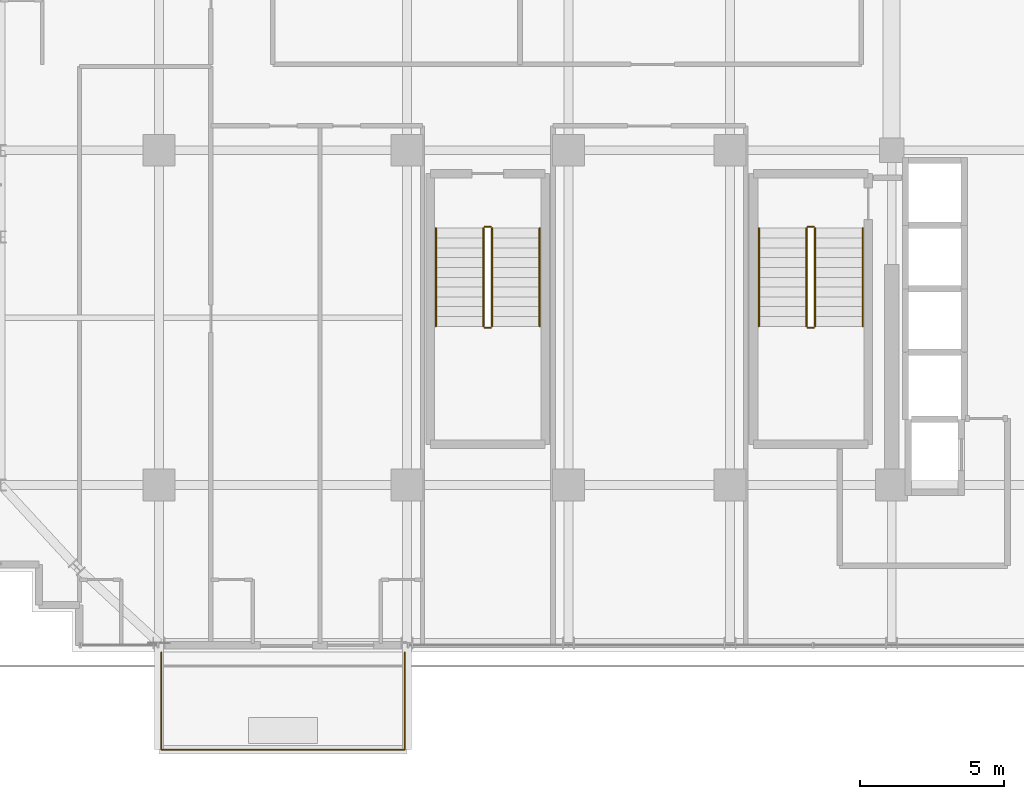
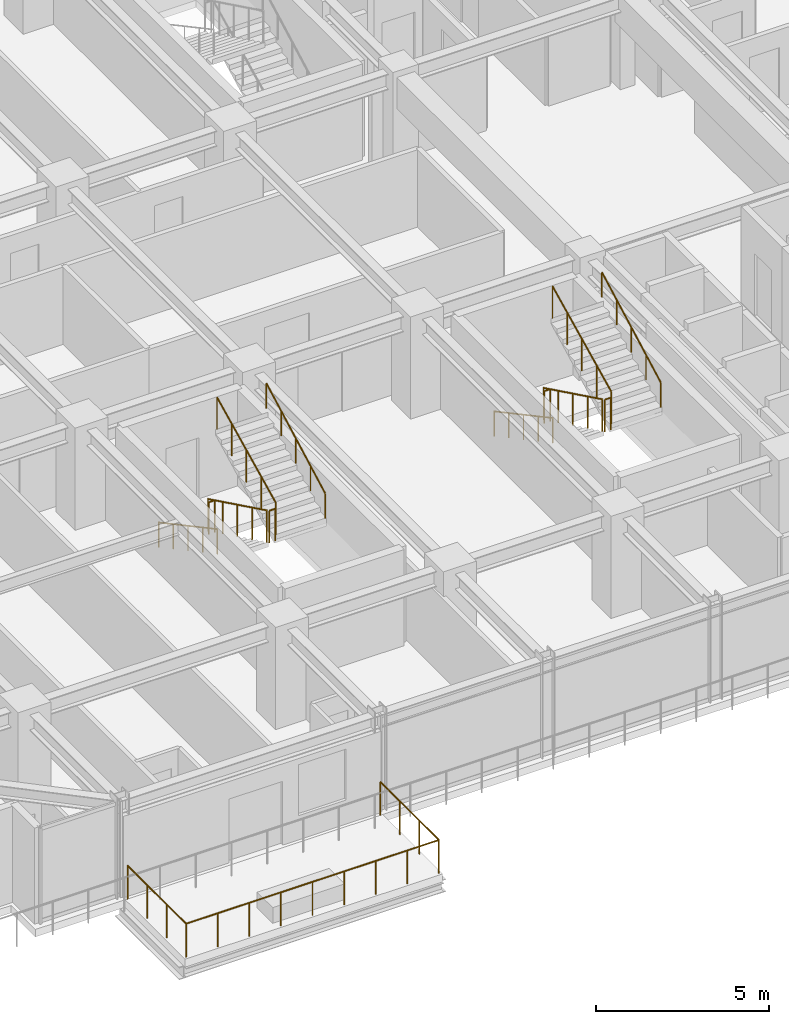
# One storey, part 30 of 33: 13 railings.
"""IFC4 building model written with IfcOpenShell, lengths in metres."""

from ifc_helpers import new_model, si_unit, direction, frame, origin, origin_2d, place, context, subcontext, project, spatial, circle, extrude, material, type_object, element, save


model = new_model("IFC4")

# Units and contexts
model_context = context("Model", 3, precision=1e-05, world=origin(), true_north=direction((0.0, 1.0)))
body_context = subcontext(model_context, "Body", "Model", "MODEL_VIEW")
ifc_project = project(units=[si_unit("LENGTHUNIT", "METRE"), si_unit("AREAUNIT", "SQUARE_METRE"), si_unit("VOLUMEUNIT", "CUBIC_METRE"), si_unit("PLANEANGLEUNIT", "RADIAN"), si_unit("MASSUNIT", "GRAM", prefix="KILO")], contexts=[model_context])

# Site, building, storey
site_placement = place(None, origin())
site = spatial("IfcSite", under=ifc_project, at=site_placement, CompositionType="ELEMENT")
building_placement = place(site_placement, origin())
building = spatial("IfcBuilding", under=site, at=building_placement, Name="Nahalor Promenade Grand Hotel", CompositionType="ELEMENT")
storey_placement = place(building_placement, frame((0.0, 0.0, 149.0)))
storey = spatial("IfcBuildingStorey", under=building, at=storey_placement, Name="L37", CompositionType="ELEMENT", Elevation=149.0)

# Railings
ifc_material_1 = material(Name="Anodised Bronze Aluminium EN AW-6063 T6", Category="aluminium")
railing_type_1 = type_object("IfcRailingType", Name="Bronze Balcony Guardrail 1200 mm", PredefinedType="GUARDRAIL", material=ifc_material_1)
railing_1_placement = place(storey_placement, frame((-16.919921875, -22.800048828125, 0.0)))
element("IfcRailing", 1, at=railing_1_placement, inside=storey, type_object=railing_type_1, Name="L37 Balcony Guardrail 1", PredefinedType="GUARDRAIL", context=body_context, shape_type="SweptSolid", body=[
    extrude(circle(Radius=0.024048, at=origin_2d()), frame((0.0, 0.0, 1.17578125), z_axis=(0.0, -1.0, 0.0), x_axis=(1.0, 0.0, 0.0)), (0.0, 0.0, 1.0), 3.3779296875),
    extrude(circle(Radius=0.024048, at=origin_2d()), frame((0.001953125, -3.3798828125, 1.17578125), z_axis=(1.0, 0.0, 0.0), x_axis=(0.0, 1.0, 0.0)), (0.0, 0.0, 1.0), 8.43603515625),
    extrude(circle(Radius=0.024048, at=origin_2d()), frame((8.43994140625, -3.3779296875, 1.17578125), z_axis=(0.0, 1.0, 0.0), x_axis=(-1.0, 0.0, 0.0)), (0.0, 0.0, 1.0), 3.3779296875),
    extrude(circle(Radius=0.020996, at=origin_2d()), origin(), (0.0, 0.0, 1.0), 1.14990234375),
    extrude(circle(Radius=0.020996, at=origin_2d()), frame((0.0, -1.126708984375, 0.0)), (0.0, 0.0, 1.0), 1.14990234375),
    extrude(circle(Radius=0.020996, at=origin_2d()), frame((0.0, -2.253173828125, 0.0)), (0.0, 0.0, 1.0), 1.14990234375),
    extrude(circle(Radius=0.020996, at=origin_2d()), frame((0.0, -3.3798828125, 0.0)), (0.0, 0.0, 1.0), 1.14990234375),
    extrude(circle(Radius=0.020996, at=origin_2d()), frame((1.054931640625, -3.3798828125, 0.0)), (0.0, 0.0, 1.0), 1.14990234375),
    extrude(circle(Radius=0.020996, at=origin_2d()), frame((2.10986328125, -3.3798828125, 0.0)), (0.0, 0.0, 1.0), 1.14990234375),
    extrude(circle(Radius=0.020996, at=origin_2d()), frame((3.1650390625, -3.3798828125, 0.0)), (0.0, 0.0, 1.0), 1.14990234375),
    extrude(circle(Radius=0.020996, at=origin_2d()), frame((4.219970703125, -3.3798828125, 0.0)), (0.0, 0.0, 1.0), 1.14990234375),
    extrude(circle(Radius=0.020996, at=origin_2d()), frame((5.27490234375, -3.3798828125, 0.0)), (0.0, 0.0, 1.0), 1.14990234375),
    extrude(circle(Radius=0.020996, at=origin_2d()), frame((6.330078125, -3.3798828125, 0.0)), (0.0, 0.0, 1.0), 1.14990234375),
    extrude(circle(Radius=0.020996, at=origin_2d()), frame((7.385009765625, -3.3798828125, 0.0)), (0.0, 0.0, 1.0), 1.14990234375),
    extrude(circle(Radius=0.020996, at=origin_2d()), frame((8.43994140625, -3.3798828125, 0.0)), (0.0, 0.0, 1.0), 1.14990234375),
    extrude(circle(Radius=0.020996, at=origin_2d()), frame((8.43994140625, -2.253173828125, 0.0)), (0.0, 0.0, 1.0), 1.14990234375),
    extrude(circle(Radius=0.020996, at=origin_2d()), frame((8.43994140625, -1.126708984375, 0.0)), (0.0, 0.0, 1.0), 1.14990234375),
    extrude(circle(Radius=0.020996, at=origin_2d()), frame((8.43994140625, 0.0, 0.0)), (0.0, 0.0, 1.0), 1.14990234375),
])
ifc_material_2 = material(Name="Steel S355JR", Category="steel")
railing_type_2 = type_object("IfcRailingType", Name="Steel Stair Guardrail 1150 mm", PredefinedType="GUARDRAIL", material=ifc_material_2)
railing_2_placement = place(storey_placement, frame((5.449951171875, -8.10009765625, 0.166015625)))
element("IfcRailing", 2, at=railing_2_placement, inside=storey, type_object=railing_type_2, Name="L37 ST2 stair guard 1", PredefinedType="GUARDRAIL", context=body_context, shape_type="SweptSolid", body=[
    extrude(circle(Radius=0.024048, at=origin_2d()), frame((0.0, 0.0, 1.1259765625), z_axis=(0.0, -0.898721922897, 0.438518990814), x_axis=(1.0, 0.0, 0.0)), (0.0, 0.0, 1.0), 3.782958984375),
    extrude(circle(Radius=0.020996, at=origin_2d()), origin(), (0.0, 0.0, 1.0), 1.099853515625),
    extrude(circle(Radius=0.020996, at=origin_2d()), frame((0.0, -0.85009765625, 0.414794921875)), (0.0, 0.0, 1.0), 1.099853515625),
    extrude(circle(Radius=0.020996, at=origin_2d()), frame((0.0, -1.699951171875, 0.82958984375)), (0.0, 0.0, 1.0), 1.099853515625),
    extrude(circle(Radius=0.020996, at=origin_2d()), frame((0.0, -2.5498046875, 1.244140625)), (0.0, 0.0, 1.0), 1.099853515625),
    extrude(circle(Radius=0.020996, at=origin_2d()), frame((0.0, -3.39990234375, 1.658935546875)), (0.0, 0.0, 1.0), 1.099853515625),
])
railing_3_placement = place(storey_placement, frame((5.5, -11.550048828125, 1.824951171875)))
element("IfcRailing", 3, at=railing_3_placement, inside=storey, type_object=railing_type_2, Name="L37 ST2 stair guard 2", PredefinedType="GUARDRAIL", context=body_context, shape_type="SweptSolid", body=[
    extrude(circle(Radius=0.024048, at=origin_2d()), frame((0.0, 0.0, 1.1259765625), z_axis=(1.0, 0.0, 0.0), x_axis=(0.0, 1.0, 0.0)), (0.0, 0.0, 1.0), 0.199951171875),
    extrude(circle(Radius=0.020996, at=origin_2d()), origin(), (0.0, 0.0, 1.0), 1.099853515625),
    extrude(circle(Radius=0.020996, at=origin_2d()), frame((0.199951171875, 0.0, 0.0)), (0.0, 0.0, 1.0), 1.099853515625),
])
railing_4_placement = place(storey_placement, frame((5.75, -11.5, 1.990966796875)))
element("IfcRailing", 4, at=railing_4_placement, inside=storey, type_object=railing_type_2, Name="L37 ST2 stair guard 3", PredefinedType="GUARDRAIL", context=body_context, shape_type="SweptSolid", body=[
    extrude(circle(Radius=0.024048, at=origin_2d()), frame((0.0, 0.0, 1.1259765625), z_axis=(0.0, 0.898721922897, 0.438518990814), x_axis=(-1.0, 0.0, 0.0)), (0.0, 0.0, 1.0), 3.782958984375),
    extrude(circle(Radius=0.020996, at=origin_2d()), origin(), (0.0, 0.0, 1.0), 1.099853515625),
    extrude(circle(Radius=0.020996, at=origin_2d()), frame((0.0, 0.85009765625, 0.414794921875)), (0.0, 0.0, 1.0), 1.099853515625),
    extrude(circle(Radius=0.020996, at=origin_2d()), frame((0.0, 1.699951171875, 0.82958984375)), (0.0, 0.0, 1.0), 1.099853515625),
    extrude(circle(Radius=0.020996, at=origin_2d()), frame((0.0, 2.5498046875, 1.244140625)), (0.0, 0.0, 1.0), 1.099853515625),
    extrude(circle(Radius=0.020996, at=origin_2d()), frame((0.0, 3.39990234375, 1.658935546875)), (0.0, 0.0, 1.0), 1.099853515625),
])
railing_5_placement = place(storey_placement, frame((5.5, -8.050048828125, 0.0)))
element("IfcRailing", 5, at=railing_5_placement, inside=storey, type_object=railing_type_2, Name="L37 ST2 stair guard 4", PredefinedType="GUARDRAIL", context=body_context, shape_type="SweptSolid", body=[
    extrude(circle(Radius=0.024048, at=origin_2d()), frame((0.0, 0.0, 1.1259765625), z_axis=(1.0, 0.0, 0.0), x_axis=(0.0, 1.0, 0.0)), (0.0, 0.0, 1.0), 0.199951171875),
    extrude(circle(Radius=0.020996, at=origin_2d()), origin(), (0.0, 0.0, 1.0), 1.099853515625),
    extrude(circle(Radius=0.020996, at=origin_2d()), frame((0.199951171875, 0.0, 0.0)), (0.0, 0.0, 1.0), 1.099853515625),
])
railing_6_placement = place(storey_placement, frame((-5.75, -8.10009765625, 0.166015625)))
element("IfcRailing", 6, at=railing_6_placement, inside=storey, type_object=railing_type_2, Name="L37 ST3 stair guard 1", PredefinedType="GUARDRAIL", context=body_context, shape_type="SweptSolid", body=[
    extrude(circle(Radius=0.024048, at=origin_2d()), frame((0.0, 0.0, 1.1259765625), z_axis=(0.0, -0.898721922897, 0.438518990814), x_axis=(1.0, 0.0, 0.0)), (0.0, 0.0, 1.0), 3.782958984375),
    extrude(circle(Radius=0.020996, at=origin_2d()), origin(), (0.0, 0.0, 1.0), 1.099853515625),
    extrude(circle(Radius=0.020996, at=origin_2d()), frame((0.0, -0.85009765625, 0.414794921875)), (0.0, 0.0, 1.0), 1.099853515625),
    extrude(circle(Radius=0.020996, at=origin_2d()), frame((0.0, -1.699951171875, 0.82958984375)), (0.0, 0.0, 1.0), 1.099853515625),
    extrude(circle(Radius=0.020996, at=origin_2d()), frame((0.0, -2.5498046875, 1.244140625)), (0.0, 0.0, 1.0), 1.099853515625),
    extrude(circle(Radius=0.020996, at=origin_2d()), frame((0.0, -3.39990234375, 1.658935546875)), (0.0, 0.0, 1.0), 1.099853515625),
])
railing_7_placement = place(storey_placement, frame((-5.699951171875, -11.550048828125, 1.824951171875)))
element("IfcRailing", 7, at=railing_7_placement, inside=storey, type_object=railing_type_2, Name="L37 ST3 stair guard 2", PredefinedType="GUARDRAIL", context=body_context, shape_type="SweptSolid", body=[
    extrude(circle(Radius=0.024048, at=origin_2d()), frame((0.0, 0.0, 1.1259765625), z_axis=(1.0, 0.0, 0.0), x_axis=(0.0, 1.0, 0.0)), (0.0, 0.0, 1.0), 0.199951171875),
    extrude(circle(Radius=0.020996, at=origin_2d()), origin(), (0.0, 0.0, 1.0), 1.099853515625),
    extrude(circle(Radius=0.020996, at=origin_2d()), frame((0.199951171875, 0.0, 0.0)), (0.0, 0.0, 1.0), 1.099853515625),
])
railing_8_placement = place(storey_placement, frame((-5.449951171875, -11.5, 1.990966796875)))
element("IfcRailing", 8, at=railing_8_placement, inside=storey, type_object=railing_type_2, Name="L37 ST3 stair guard 3", PredefinedType="GUARDRAIL", context=body_context, shape_type="SweptSolid", body=[
    extrude(circle(Radius=0.024048, at=origin_2d()), frame((0.0, 0.0, 1.1259765625), z_axis=(0.0, 0.898721922897, 0.438518990814), x_axis=(-1.0, 0.0, 0.0)), (0.0, 0.0, 1.0), 3.782958984375),
    extrude(circle(Radius=0.020996, at=origin_2d()), origin(), (0.0, 0.0, 1.0), 1.099853515625),
    extrude(circle(Radius=0.020996, at=origin_2d()), frame((0.0, 0.85009765625, 0.414794921875)), (0.0, 0.0, 1.0), 1.099853515625),
    extrude(circle(Radius=0.020996, at=origin_2d()), frame((0.0, 1.699951171875, 0.82958984375)), (0.0, 0.0, 1.0), 1.099853515625),
    extrude(circle(Radius=0.020996, at=origin_2d()), frame((0.0, 2.5498046875, 1.244140625)), (0.0, 0.0, 1.0), 1.099853515625),
    extrude(circle(Radius=0.020996, at=origin_2d()), frame((0.0, 3.39990234375, 1.658935546875)), (0.0, 0.0, 1.0), 1.099853515625),
])
railing_9_placement = place(storey_placement, frame((-5.699951171875, -8.050048828125, 0.0)))
element("IfcRailing", 9, at=railing_9_placement, inside=storey, type_object=railing_type_2, Name="L37 ST3 stair guard 4", PredefinedType="GUARDRAIL", context=body_context, shape_type="SweptSolid", body=[
    extrude(circle(Radius=0.024048, at=origin_2d()), frame((0.0, 0.0, 1.1259765625), z_axis=(1.0, 0.0, 0.0), x_axis=(0.0, 1.0, 0.0)), (0.0, 0.0, 1.0), 0.199951171875),
    extrude(circle(Radius=0.020996, at=origin_2d()), origin(), (0.0, 0.0, 1.0), 1.099853515625),
    extrude(circle(Radius=0.020996, at=origin_2d()), frame((0.199951171875, 0.0, 0.0)), (0.0, 0.0, 1.0), 1.099853515625),
])
railing_type_3 = type_object("IfcRailingType", Name="Steel Stair Handrail 900 mm", PredefinedType="HANDRAIL", material=ifc_material_2)
railing_10_placement = place(storey_placement, frame((3.800048828125, -8.10009765625, 0.166015625)))
element("IfcRailing", 10, at=railing_10_placement, inside=storey, type_object=railing_type_3, Name="L37 ST2 stair handrail 1", PredefinedType="HANDRAIL", context=body_context, shape_type="SweptSolid", body=[
    extrude(circle(Radius=0.024048, at=origin_2d()), frame((0.0, 0.0, 0.8759765625), z_axis=(0.0, -0.881094038095, 0.47294111265), x_axis=(1.0, 0.0, 0.0)), (0.0, 0.0, 1.0), 3.858642578125),
    extrude(circle(Radius=0.020996, at=origin_2d()), origin(), (0.0, 0.0, 1.0), 0.849853515625),
    extrude(circle(Radius=0.020996, at=origin_2d()), frame((0.0, -0.85009765625, 0.456298828125)), (0.0, 0.0, 1.0), 0.849853515625),
    extrude(circle(Radius=0.020996, at=origin_2d()), frame((0.0, -1.699951171875, 0.91259765625)), (0.0, 0.0, 1.0), 0.849853515625),
    extrude(circle(Radius=0.020996, at=origin_2d()), frame((0.0, -2.5498046875, 1.36865234375)), (0.0, 0.0, 1.0), 0.849853515625),
    extrude(circle(Radius=0.020996, at=origin_2d()), frame((0.0, -3.39990234375, 1.824951171875)), (0.0, 0.0, 1.0), 0.849853515625),
])
railing_11_placement = place(storey_placement, frame((7.39990234375, -11.5, 1.990966796875)))
element("IfcRailing", 11, at=railing_11_placement, inside=storey, type_object=railing_type_3, Name="L37 ST2 stair handrail 2", PredefinedType="HANDRAIL", context=body_context, shape_type="SweptSolid", body=[
    extrude(circle(Radius=0.024048, at=origin_2d()), frame((0.0, 0.0, 0.8759765625), z_axis=(0.0, 0.881094038095, 0.47294111265), x_axis=(-1.0, 0.0, 0.0)), (0.0, 0.0, 1.0), 3.858642578125),
    extrude(circle(Radius=0.020996, at=origin_2d()), origin(), (0.0, 0.0, 1.0), 0.849853515625),
    extrude(circle(Radius=0.020996, at=origin_2d()), frame((0.0, 0.85009765625, 0.456298828125)), (0.0, 0.0, 1.0), 0.849853515625),
    extrude(circle(Radius=0.020996, at=origin_2d()), frame((0.0, 1.699951171875, 0.91259765625)), (0.0, 0.0, 1.0), 0.849853515625),
    extrude(circle(Radius=0.020996, at=origin_2d()), frame((0.0, 2.5498046875, 1.36865234375)), (0.0, 0.0, 1.0), 0.849853515625),
    extrude(circle(Radius=0.020996, at=origin_2d()), frame((0.0, 3.39990234375, 1.824951171875)), (0.0, 0.0, 1.0), 0.849853515625),
])
railing_12_placement = place(storey_placement, frame((-7.39990234375, -8.10009765625, 0.166015625)))
element("IfcRailing", 12, at=railing_12_placement, inside=storey, type_object=railing_type_3, Name="L37 ST3 stair handrail 1", PredefinedType="HANDRAIL", context=body_context, shape_type="SweptSolid", body=[
    extrude(circle(Radius=0.024048, at=origin_2d()), frame((0.0, 0.0, 0.8759765625), z_axis=(0.0, -0.881094038095, 0.47294111265), x_axis=(1.0, 0.0, 0.0)), (0.0, 0.0, 1.0), 3.858642578125),
    extrude(circle(Radius=0.020996, at=origin_2d()), origin(), (0.0, 0.0, 1.0), 0.849853515625),
    extrude(circle(Radius=0.020996, at=origin_2d()), frame((0.0, -0.85009765625, 0.456298828125)), (0.0, 0.0, 1.0), 0.849853515625),
    extrude(circle(Radius=0.020996, at=origin_2d()), frame((0.0, -1.699951171875, 0.91259765625)), (0.0, 0.0, 1.0), 0.849853515625),
    extrude(circle(Radius=0.020996, at=origin_2d()), frame((0.0, -2.5498046875, 1.36865234375)), (0.0, 0.0, 1.0), 0.849853515625),
    extrude(circle(Radius=0.020996, at=origin_2d()), frame((0.0, -3.39990234375, 1.824951171875)), (0.0, 0.0, 1.0), 0.849853515625),
])
railing_13_placement = place(storey_placement, frame((-3.800048828125, -11.5, 1.990966796875)))
element("IfcRailing", 13, at=railing_13_placement, inside=storey, type_object=railing_type_3, Name="L37 ST3 stair handrail 2", PredefinedType="HANDRAIL", context=body_context, shape_type="SweptSolid", body=[
    extrude(circle(Radius=0.024048, at=origin_2d()), frame((0.0, 0.0, 0.8759765625), z_axis=(0.0, 0.881094038095, 0.47294111265), x_axis=(-1.0, 0.0, 0.0)), (0.0, 0.0, 1.0), 3.858642578125),
    extrude(circle(Radius=0.020996, at=origin_2d()), origin(), (0.0, 0.0, 1.0), 0.849853515625),
    extrude(circle(Radius=0.020996, at=origin_2d()), frame((0.0, 0.85009765625, 0.456298828125)), (0.0, 0.0, 1.0), 0.849853515625),
    extrude(circle(Radius=0.020996, at=origin_2d()), frame((0.0, 1.699951171875, 0.91259765625)), (0.0, 0.0, 1.0), 0.849853515625),
    extrude(circle(Radius=0.020996, at=origin_2d()), frame((0.0, 2.5498046875, 1.36865234375)), (0.0, 0.0, 1.0), 0.849853515625),
    extrude(circle(Radius=0.020996, at=origin_2d()), frame((0.0, 3.39990234375, 1.824951171875)), (0.0, 0.0, 1.0), 0.849853515625),
])

save(model, "model.ifc")
